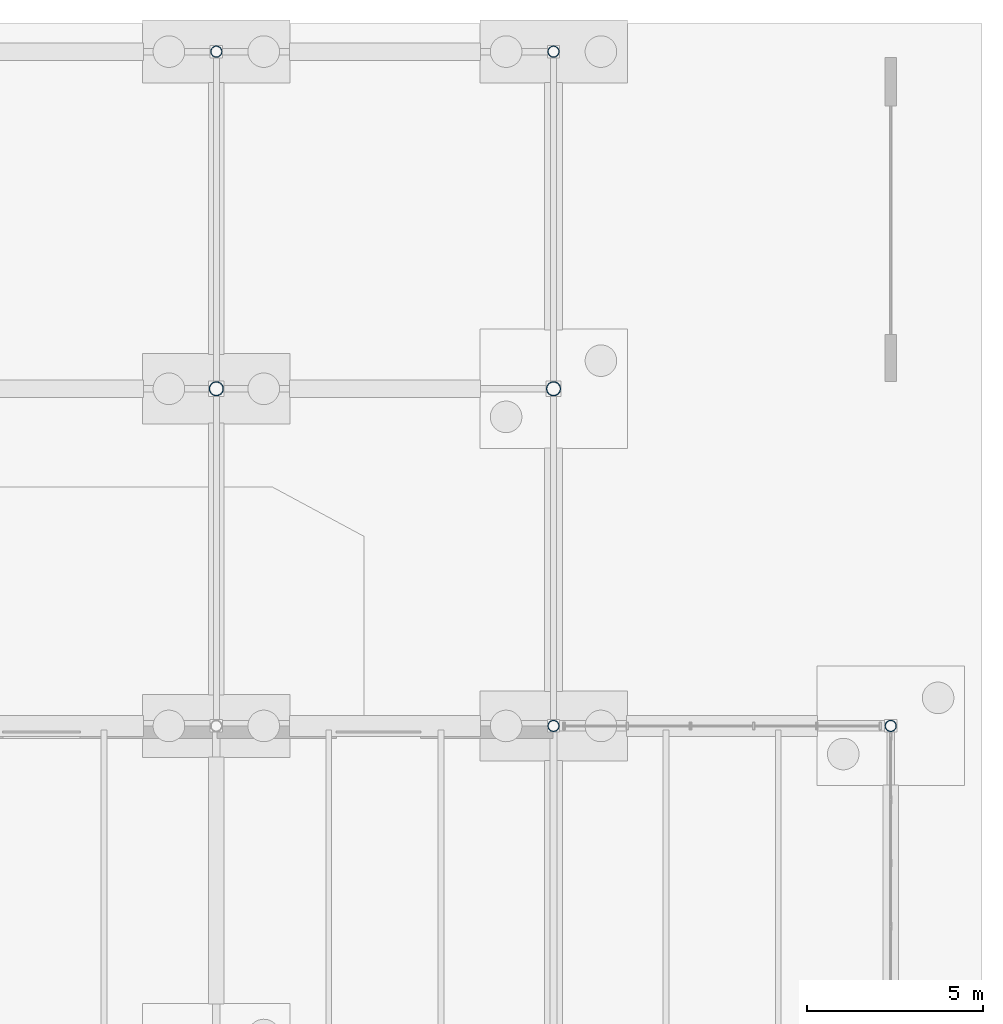
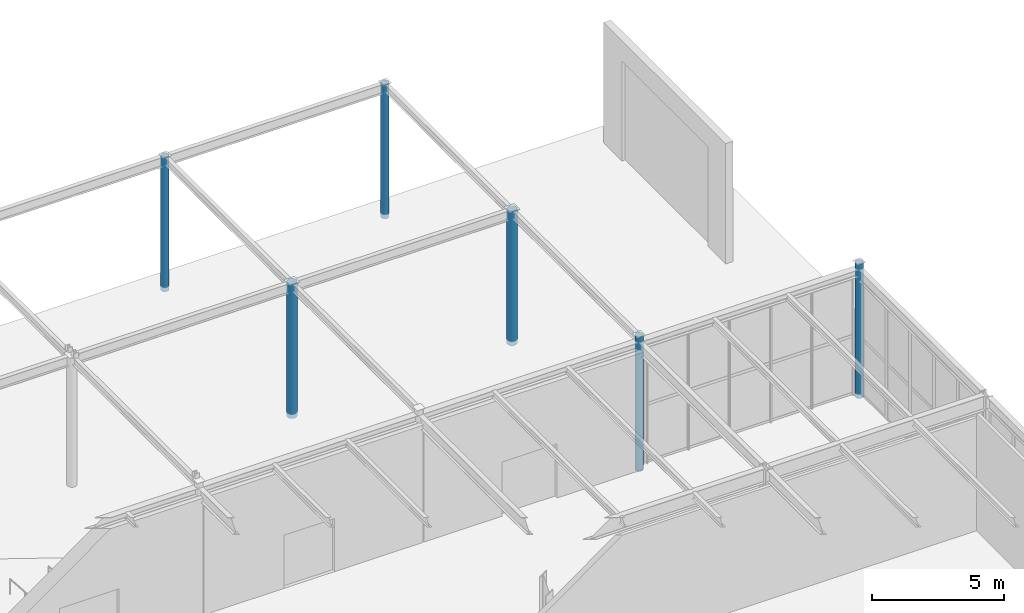
# One storey, part 27 of 142: 6 columns.
"""IFC4 building model written with IfcOpenShell, lengths in metres."""

from ifc_helpers import new_model, si_unit, direction, frame, origin, origin_2d, place, context, subcontext, project, spatial, hollow_circle, extrude, material, material_profile, profile_set, type_object, element, save


model = new_model("IFC4")

# Units and contexts
model_context = context("Model", 3, precision=1e-05, world=origin(), true_north=direction((0.0, 1.0)))
body_context = subcontext(model_context, "Body", "Model", "MODEL_VIEW")
ifc_project = project(units=[si_unit("LENGTHUNIT", "METRE"), si_unit("AREAUNIT", "SQUARE_METRE"), si_unit("VOLUMEUNIT", "CUBIC_METRE"), si_unit("PLANEANGLEUNIT", "RADIAN"), si_unit("MASSUNIT", "GRAM", prefix="KILO")], contexts=[model_context])

# Site, building, storey
site_placement = place(None, origin())
site = spatial("IfcSite", under=ifc_project, at=site_placement, CompositionType="ELEMENT")
building_placement = place(site_placement, origin())
building = spatial("IfcBuilding", under=site, at=building_placement, Name="Coralgate Yard Interchange", CompositionType="ELEMENT")
storey_placement = place(building_placement, origin())
storey = spatial("IfcBuildingStorey", under=building, at=storey_placement, Name="L00", CompositionType="ELEMENT", Elevation=0.0)

# Columns
ifc_material = material(Name="Structural steel S355J2", Category="steel")
ifc_material_profile_1 = material_profile(ifc_material, hollow_circle(Radius=0.203125, WallThickness=0.01611328125, at=origin_2d()), Name="CHS 406.4x16")
ifc_profile_set_1 = profile_set([ifc_material_profile_1], Name="Structural steel S355J2")
column_type_1 = type_object("IfcColumnType", Name="COL-SC-12", PredefinedType="COLUMN", material=ifc_profile_set_1)
for number, where, z_axis, x_axis, name in (
    (1, (163.199951171875, 105.60009765625, -0.199951171875), (0.0, 0.0, 1.0), (1.0, 0.0, 0.0), "L00 wave-canopy steel column 17-11"),
    (2, (172.800048828125, 105.60009765625, -0.199951171875), (0.0, 0.0, 1.0), (1.0, 0.0, 0.0), "L00 wave-canopy steel column 18-11"),
):
    element("IfcColumn", number, at=place(storey_placement, frame(where, z_axis=z_axis, x_axis=x_axis)), inside=storey, type_object=column_type_1, Name=name, PredefinedType="COLUMN", context=body_context, shape_type="SweptSolid", body=[
        extrude(hollow_circle(Radius=0.203125, WallThickness=0.01611328125, at=origin_2d()), origin(), (0.0, 0.0, 1.0), 6.199951171875),
    ])
ifc_material_profile_2 = material_profile(ifc_material, hollow_circle(Radius=0.161865234375, WallThickness=0.012451171875, at=origin_2d()), Name="CHS 323.9x12.5")
ifc_profile_set_2 = profile_set([ifc_material_profile_2], Name="Structural steel S355J2")
column_type_2 = type_object("IfcColumnType", Name="COL-SC-13", PredefinedType="COLUMN", material=ifc_profile_set_2)
for number, where, z_axis, x_axis, name in (
    (3, (163.199951171875, 115.199951171875, -0.199951171875), (0.0, 0.0, 1.0), (1.0, 0.0, 0.0), "L00 wave-canopy steel column 17-12"),
    (4, (172.800048828125, 96.0, -0.199951171875), (0.0, 0.0, 1.0), (1.0, 0.0, 0.0), "L00 wave-canopy steel column 18-10"),
    (5, (172.800048828125, 115.199951171875, -0.199951171875), (0.0, 0.0, 1.0), (1.0, 0.0, 0.0), "L00 wave-canopy steel column 18-12"),
    (6, (182.39990234375, 96.0, -0.199951171875), (0.0, 0.0, 1.0), (1.0, 0.0, 0.0), "L00 wave-canopy steel column 19-10"),
):
    element("IfcColumn", number, at=place(storey_placement, frame(where, z_axis=z_axis, x_axis=x_axis)), inside=storey, type_object=column_type_2, Name=name, PredefinedType="COLUMN", context=body_context, shape_type="SweptSolid", body=[
        extrude(hollow_circle(Radius=0.161865234375, WallThickness=0.012451171875, at=origin_2d()), origin(), (0.0, 0.0, 1.0), 6.199951171875),
    ])

save(model, "model.ifc")
